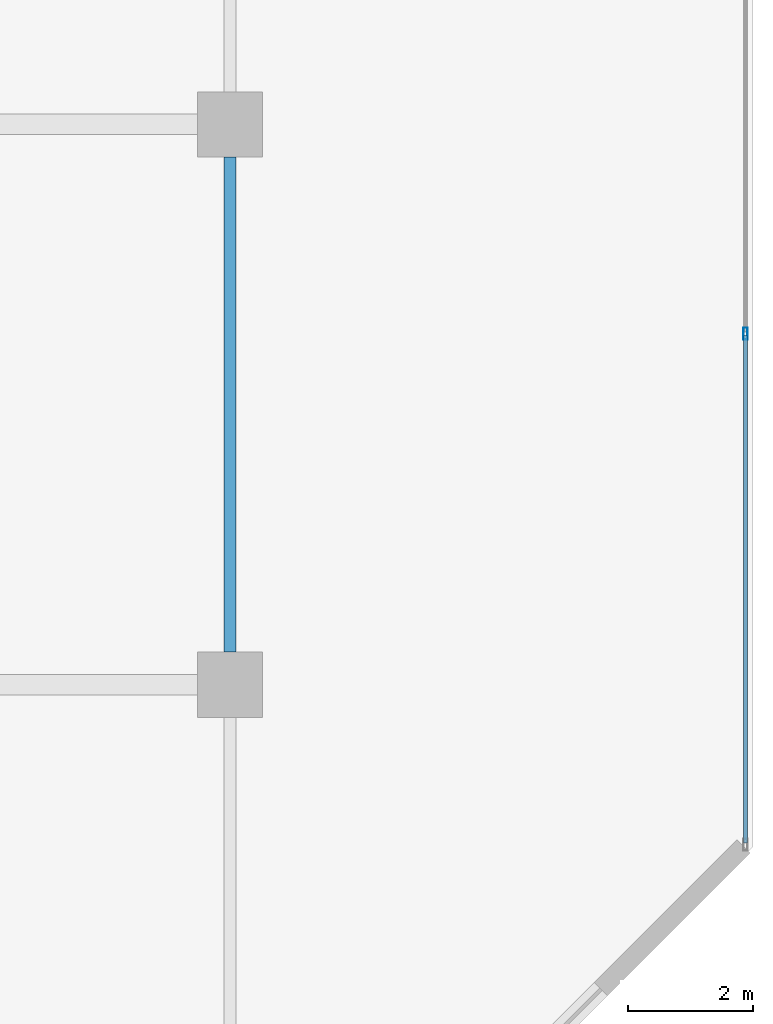
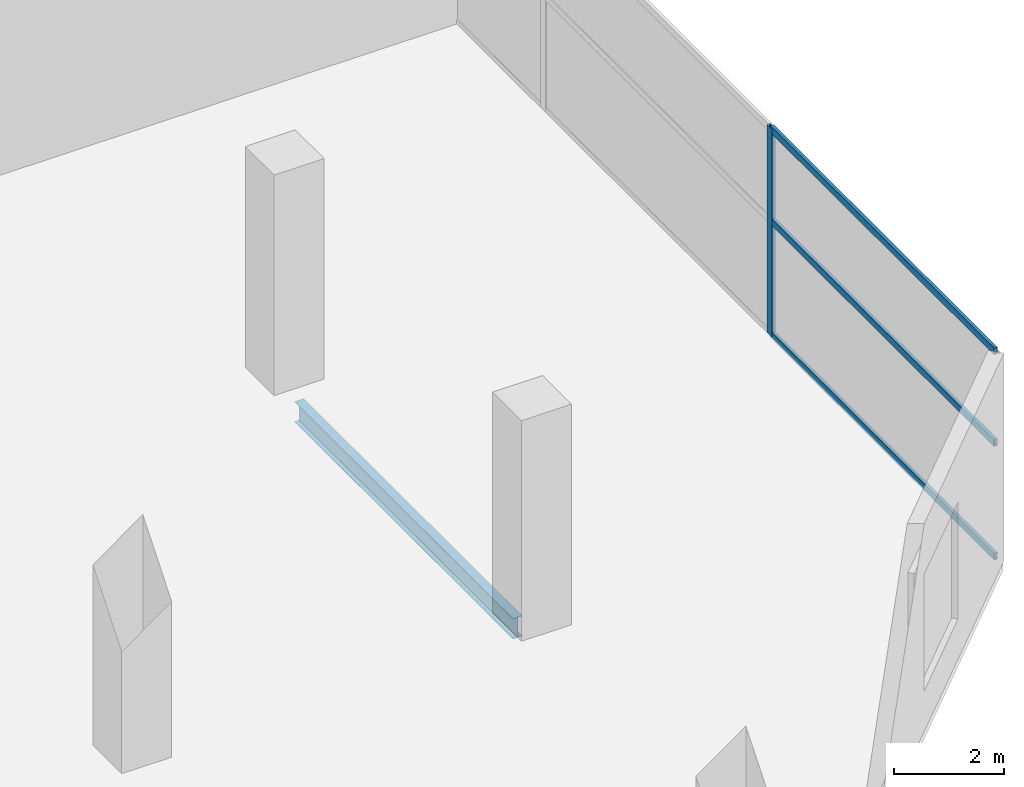
# One storey, part 25 of 39: 4 members, 1 beam, 1 element without a shape of its own.
"""IFC4 building model written with IfcOpenShell, lengths in metres."""

import ifcopenshell
import ifcopenshell.guid

model = None  # the IFC model being written
_history = None  # IfcOwnerHistory: only IFC2X3 demands one
_inside = {}  # id of a spatial element -> (the spatial element, [elements in it])
_under = {}  # id of a project, library or spatial element -> (it, [spatial elements below it])
_declared = {}  # id of a project -> (the project, [libraries it declares])
_typed = {}  # id of a type object -> (the type object, [elements of that type])
_made_of = {}  # id of a material, layer set ... -> (it, [elements and type objects made of it])


def new_model(schema):
    """Start an empty IFC model of exactly this schema.

    Asked for "IFC4X3", IfcOpenShell would pick the latest addendum, in which some entities
    have other attributes; the version numbers below select the first issue.
    IFC2X3 requires an IfcOwnerHistory on every rooted entity: one is made here for all.
    """
    global model, _history
    if schema == "IFC4X3":
        model = ifcopenshell.file(schema_version=(4, 3, 0, 0))
    else:
        model = ifcopenshell.file(schema=schema)
    _inside.clear()
    _under.clear()
    _declared.clear()
    _typed.clear()
    _made_of.clear()
    _history = None
    if model.schema == "IFC2X3":
        org = make("IfcOrganization", Name="unknown")
        user = make(
            "IfcPersonAndOrganization",
            ThePerson=make("IfcPerson", FamilyName="unknown"),
            TheOrganization=org,
        )
        app = make(
            "IfcApplication",
            ApplicationDeveloper=org,
            Version="unknown",
            ApplicationFullName="unknown",
            ApplicationIdentifier="unknown",
        )
        _history = make(
            "IfcOwnerHistory",
            OwningUser=user,
            OwningApplication=app,
            ChangeAction="ADDED",
            CreationDate=0,
        )
    return model


def make(cls, **values):
    """One entity of the class cls with the attributes given. An attribute that is None is left unset."""
    return model.create_entity(
        cls, **{name: value for name, value in values.items() if value is not None}
    )


def rooted(cls, **values):
    """An entity with a GlobalId (a new one), such as an element, a storey or a relation."""
    return make(cls, GlobalId=ifcopenshell.guid.new(), OwnerHistory=_history, **values)


def si_unit(unit_type, name, prefix=None):
    """IfcSIUnit, for example si_unit("LENGTHUNIT", "METRE", prefix="MILLI")."""
    return make("IfcSIUnit", UnitType=unit_type, Prefix=prefix, Name=name)


def assignment(units):
    """IfcUnitAssignment: the units of a project."""
    return None if units is None else make("IfcUnitAssignment", Units=units)


def point(xyz):
    """IfcCartesianPoint."""
    return None if xyz is None else make("IfcCartesianPoint", Coordinates=xyz)


def direction(xyz):
    """IfcDirection."""
    return None if xyz is None else make("IfcDirection", DirectionRatios=xyz)


def frame(location, z_axis=None, x_axis=None):
    """IfcAxis2Placement3D, a coordinate frame: its origin and axes. An axis left out is left unset."""
    return make(
        "IfcAxis2Placement3D",
        Location=point(location),
        Axis=direction(z_axis),
        RefDirection=direction(x_axis),
    )


def frame_2d(location, x_axis=None):
    """IfcAxis2Placement2D, a coordinate frame in the plane: its origin and x axis."""
    return make(
        "IfcAxis2Placement2D", Location=point(location), RefDirection=direction(x_axis)
    )


def origin():
    """The frame at (0, 0, 0) with its axes left unset."""
    return frame((0.0, 0.0, 0.0))


def origin_2d():
    """The frame at (0, 0) in the plane with its x axis left unset."""
    return frame_2d((0.0, 0.0))


def place(relative_to, where):
    """IfcLocalPlacement: puts the frame where relative to a parent placement (None: the world)."""
    return make(
        "IfcLocalPlacement", PlacementRelTo=relative_to, RelativePlacement=where
    )


def context(
    kind, dimensions, precision=None, world=None, true_north=None, identifier=None
):
    """IfcGeometricRepresentationContext, for example the 3D "Model" context."""
    return make(
        "IfcGeometricRepresentationContext",
        ContextIdentifier=identifier,
        ContextType=kind,
        CoordinateSpaceDimension=dimensions,
        Precision=precision,
        WorldCoordinateSystem=world,
        TrueNorth=true_north,
    )


def subcontext(parent, identifier, kind, view, scale=None):
    """IfcGeometricRepresentationSubContext, for example "Body" below "Model"."""
    return make(
        "IfcGeometricRepresentationSubContext",
        ContextIdentifier=identifier,
        ContextType=kind,
        ParentContext=parent,
        TargetScale=scale,
        TargetView=view,
    )


def project(units=None, contexts=None):
    """IfcProject with its units and contexts."""
    return rooted(
        "IfcProject",
        Name="project",
        RepresentationContexts=contexts,
        UnitsInContext=assignment(units),
    )


def spatial(cls, under=None, at=None, **own):
    """A site, building, storey or space (cls), placed at a placement, below another one or the project."""
    s = rooted(cls, ObjectPlacement=at, **own)
    if under is not None:
        _under.setdefault(under.id(), (under, []))[1].append(s)
    return s


def profile(cls, at=None, kind="AREA", **sizes):
    """A parametric profile (cls). Its sizes go by their IFC names, for example OverallWidth=200.0."""
    return make(cls, ProfileType=kind, Position=at, **sizes)


def hollow_rectangle(**sizes):
    """IfcRectangleHollowProfileDef."""
    return profile("IfcRectangleHollowProfileDef", **sizes)


def i_section(**sizes):
    """IfcIShapeProfileDef."""
    return profile("IfcIShapeProfileDef", **sizes)


def extrude(swept, where, along, depth):
    """IfcExtrudedAreaSolid: the profile swept, set in the frame where, extruded along a direction by depth."""
    return make(
        "IfcExtrudedAreaSolid",
        SweptArea=swept,
        Position=where,
        ExtrudedDirection=direction(along),
        Depth=depth,
    )


def shape(context_of_items, identifier, shape_type, items):
    """IfcShapeRepresentation: the items that make up one representation, for example the "Body"."""
    return make(
        "IfcShapeRepresentation",
        ContextOfItems=context_of_items,
        RepresentationIdentifier=identifier,
        RepresentationType=shape_type,
        Items=items,
    )


def material(Name=None, Category=None):
    """IfcMaterial."""
    return make("IfcMaterial", Name=Name, Category=Category)


def layer(
    of_material, thickness, ventilated=None, Name=None, Category=None, Priority=None
):
    """IfcMaterialLayer: one layer of a wall or slab, of a material (None: an air gap)."""
    return make(
        "IfcMaterialLayer",
        Material=of_material,
        LayerThickness=thickness,
        IsVentilated=ventilated,
        Name=Name,
        Category=Category,
        Priority=Priority,
    )


def layer_set(layers, Name=None):
    """IfcMaterialLayerSet."""
    return make("IfcMaterialLayerSet", MaterialLayers=layers, LayerSetName=Name)


def material_profile(
    of_material, cross_section, Name=None, Category=None, Priority=None
):
    """IfcMaterialProfile: a cross section and its material."""
    return make(
        "IfcMaterialProfile",
        Name=Name,
        Material=of_material,
        Profile=cross_section,
        Priority=Priority,
        Category=Category,
    )


def profile_set(profiles, Name=None, composite=None):
    """IfcMaterialProfileSet."""
    return make(
        "IfcMaterialProfileSet",
        Name=Name,
        MaterialProfiles=profiles,
        CompositeProfile=composite,
    )


def made_of(thing, what):
    """Note that an element or type object is made of a material, layer set ...; save() writes the relation."""
    if what is not None:
        _made_of.setdefault(what.id(), (what, []))[1].append(thing)
    return thing


def type_object(cls, material=None, **own):
    """A type object (cls), such as IfcWallType, which elements share."""
    return made_of(rooted(cls, **own), material)


def element(
    cls,
    number,
    at=None,
    inside=None,
    cuts=None,
    type_object=None,
    material=None,
    context=None,
    identifier="Body",
    shape_type=None,
    held_by="IfcProductDefinitionShape",
    body=None,
    shapes=None,
    **own,
):
    """One element of the class cls, such as IfcWall. Its Tag is "e" and its number.

    at: its placement. inside: the storey or other place that contains it. cuts: it is an
    opening in that element (IfcRelVoidsElement). A single representation is given by context,
    identifier, shape_type and body (its items); several are given by shapes. held_by: the class
    of the entity that holds the representations. save() writes the other relations.
    """
    e = rooted(cls, Tag="e%d" % number, ObjectPlacement=at, **own)
    if body is not None:
        shapes = [shape(context, identifier, shape_type, body)]
    if shapes is not None:
        e.Representation = make(held_by, Representations=shapes)
    if inside is not None:
        _inside.setdefault(inside.id(), (inside, []))[1].append(e)
    if cuts is not None:
        rooted(
            "IfcRelVoidsElement", RelatingBuildingElement=cuts, RelatedOpeningElement=e
        )
    if type_object is not None:
        _typed.setdefault(type_object.id(), (type_object, []))[1].append(e)
    return made_of(e, material)


def aggregate(whole, parts):
    """IfcRelAggregates: a whole, such as a stair, and the parts it consists of."""
    return rooted("IfcRelAggregates", RelatingObject=whole, RelatedObjects=parts)


def save(model, path):
    """Write the relations noted so far, then the file.

    IfcRelAggregates (storeys below a building ...), IfcRelContainedInSpatialStructure (elements
    in a storey), IfcRelDefinesByType, IfcRelAssociatesMaterial and IfcRelDeclares: one each for
    every whole, place, type object, material and project.
    """
    for whole, parts in _under.values():
        aggregate(whole, parts)
    for where, things in _inside.values():
        rooted(
            "IfcRelContainedInSpatialStructure",
            RelatedElements=things,
            RelatingStructure=where,
        )
    for kind, things in _typed.values():
        rooted("IfcRelDefinesByType", RelatedObjects=things, RelatingType=kind)
    for what, things in _made_of.values():
        rooted("IfcRelAssociatesMaterial", RelatedObjects=things, RelatingMaterial=what)
    for by, libraries in _declared.values():
        rooted("IfcRelDeclares", RelatingContext=by, RelatedDefinitions=libraries)
    model.write(path)


model = new_model("IFC4")

# Units and contexts
model_context = context("Model", 3, precision=1e-05, world=origin(), true_north=direction((0.0, 1.0)))
body_context = subcontext(model_context, "Body", "Model", "MODEL_VIEW")
ifc_project = project(units=[si_unit("LENGTHUNIT", "METRE"), si_unit("AREAUNIT", "SQUARE_METRE"), si_unit("VOLUMEUNIT", "CUBIC_METRE"), si_unit("PLANEANGLEUNIT", "RADIAN"), si_unit("MASSUNIT", "GRAM", prefix="KILO")], contexts=[model_context])

# Site, building, storey
site_placement = place(None, origin())
site = spatial("IfcSite", under=ifc_project, at=site_placement, CompositionType="ELEMENT")
building_placement = place(site_placement, origin())
building = spatial("IfcBuilding", under=site, at=building_placement, Name="Maruvema Waterfront Hotel and Observation Tower", CompositionType="ELEMENT")
storey_placement = place(building_placement, frame((0.0, 0.0, 16.449951171875)))
storey = spatial("IfcBuildingStorey", under=building, at=storey_placement, Name="L03", CompositionType="ELEMENT", Elevation=16.449951171875)

# Curtain wall, members
ifc_material_1 = material(Name="Anodised bronze aluminium and solar-control low-E IGU", Category="aluminium")
ifc_layer = layer(ifc_material_1, 0.159912109375, Name="Podium Waterfront Storefront Curtain Wall System CW-01")
ifc_layer_set = layer_set([ifc_layer], Name="Anodised bronze aluminium and solar-control low-E IGU")
curtain_wall_type = type_object("IfcCurtainWallType", Name="Podium Waterfront Storefront Curtain Wall System CW-01", PredefinedType="USERDEFINED", material=ifc_layer_set)
curtain_wall_placement = place(storey_placement, origin())
curtain_wall = element("IfcCurtainWall", 1, at=curtain_wall_placement, inside=storey, type_object=curtain_wall_type, Name="L03 Curtain Wall CW-L03-E", ObjectType="UNITISED CURTAIN WALL", PredefinedType="USERDEFINED")
ifc_material_2 = material(Name="Anodised architectural bronze aluminium", Category="aluminium")
ifc_material_profile_1 = material_profile(ifc_material_2, hollow_rectangle(XDim=0.070068359375, YDim=0.14990234375, WallThickness=0.00390625, at=origin_2d()), Name="ALU-T70x150")
ifc_profile_set_1 = profile_set([ifc_material_profile_1], Name="Anodised architectural bronze aluminium")
member_type_1 = type_object("IfcMemberType", Name="Curtain Wall Horizontal Transom ALU-T70x150", PredefinedType="USERDEFINED", material=ifc_profile_set_1)
member_1_placement = place(storey_placement, frame((75.47998046875, 6.4599609375, 0.030029296875), z_axis=(0.0, 1.0, 0.0), x_axis=(-1.0, 0.0, 0.0)))
member_1 = element("IfcMember", 2, at=member_1_placement, type_object=member_type_1, Name="CW-01 transom 1.1", ObjectType="TRANSOM", PredefinedType="USERDEFINED", context=body_context, shape_type="SweptSolid", body=[
    extrude(hollow_rectangle(XDim=0.070068359375, YDim=0.14990234375, WallThickness=0.00390625, at=origin_2d()), origin(), (0.0, 0.0, 1.0), 8.150146484375),
])
member_2_placement = place(storey_placement, frame((75.47998046875, 6.4599609375, 2.550048828125), z_axis=(0.0, 1.0, 0.0), x_axis=(-1.0, 0.0, 0.0)))
member_2 = element("IfcMember", 3, at=member_2_placement, type_object=member_type_1, Name="CW-01 transom 1.2", ObjectType="TRANSOM", PredefinedType="USERDEFINED", context=body_context, shape_type="SweptSolid", body=[
    extrude(hollow_rectangle(XDim=0.070068359375, YDim=0.14990234375, WallThickness=0.00390625, at=origin_2d()), origin(), (0.0, 0.0, 1.0), 8.150146484375),
])
member_3_placement = place(storey_placement, frame((75.47998046875, 6.4599609375, 4.590087890625), z_axis=(0.0, 1.0, 0.0), x_axis=(-1.0, 0.0, 0.0)))
member_3 = element("IfcMember", 4, at=member_3_placement, type_object=member_type_1, Name="CW-01 transom 1.3", ObjectType="TRANSOM", PredefinedType="USERDEFINED", context=body_context, shape_type="SweptSolid", body=[
    extrude(hollow_rectangle(XDim=0.070068359375, YDim=0.14990234375, WallThickness=0.00390625, at=origin_2d()), origin(), (0.0, 0.0, 1.0), 8.150146484375),
])

# Beam
ifc_material_3 = material(Name="Steel ASTM A572 Grade 50", Category="steel")
ifc_material_profile_2 = material_profile(ifc_material_3, i_section(OverallWidth=0.18994140625, OverallDepth=0.45703125, WebThickness=0.009033203125, FlangeThickness=0.014404296875, FilletRadius=0.014892578125, at=origin_2d()), Name="W460x74.0")
ifc_profile_set_2 = profile_set([ifc_material_profile_2], Name="Steel ASTM A572 Grade 50")
beam_type = type_object("IfcBeamType", Name="Perimeter Spandrel Beam W460x74.0", PredefinedType="SPANDREL", material=ifc_profile_set_2)
beam_placement = place(storey_placement, frame((67.199951171875, 9.52490234375, -0.508544921875), z_axis=(0.0, 1.0, 0.0), x_axis=(-1.0, 0.0, 0.0)))
element("IfcBeam", 5, at=beam_placement, inside=storey, type_object=beam_type, Name="L03 Floor Girder NS-30", PredefinedType="SPANDREL", context=body_context, shape_type="SweptSolid", body=[
    extrude(i_section(OverallWidth=0.18994140625, OverallDepth=0.45703125, WebThickness=0.009033203125, FlangeThickness=0.014404296875, FilletRadius=0.014892578125, at=origin_2d()), origin(), (0.0, 0.0, 1.0), 7.9501953125),
])

# Member
ifc_material_4 = material(Name="Anodised architectural bronze aluminium", Category="aluminium")
ifc_material_profile_3 = material_profile(ifc_material_4, hollow_rectangle(XDim=0.070068359375, YDim=0.18994140625, WallThickness=0.00390625, at=origin_2d()), Name="ALU-M70x190")
ifc_profile_set_3 = profile_set([ifc_material_profile_3], Name="Anodised architectural bronze aluminium")
member_type_2 = type_object("IfcMemberType", Name="Podium Storefront Heavy Mullion ALU-M70x190", PredefinedType="MULLION", material=ifc_profile_set_3)
member_4_placement = place(storey_placement, frame((75.47998046875, 14.639892578125, 0.0), z_axis=(0.0, 0.0, 1.0), x_axis=(-1.0, 0.0, 0.0)))
member_4 = element("IfcMember", 6, at=member_4_placement, type_object=member_type_2, Name="CW-01 mullion 2", PredefinedType="MULLION", context=body_context, shape_type="SweptSolid", body=[
    extrude(hollow_rectangle(XDim=0.070068359375, YDim=0.18994140625, WallThickness=0.00390625, at=origin_2d()), origin(), (0.0, 0.0, 1.0), 4.6201171875),
])

aggregate(curtain_wall, [member_4, member_1, member_2, member_3])

save(model, "model.ifc")
